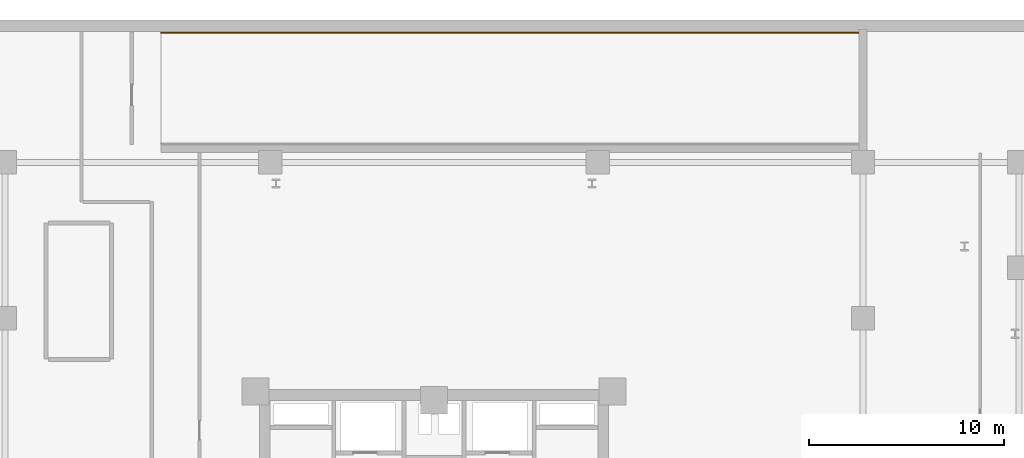
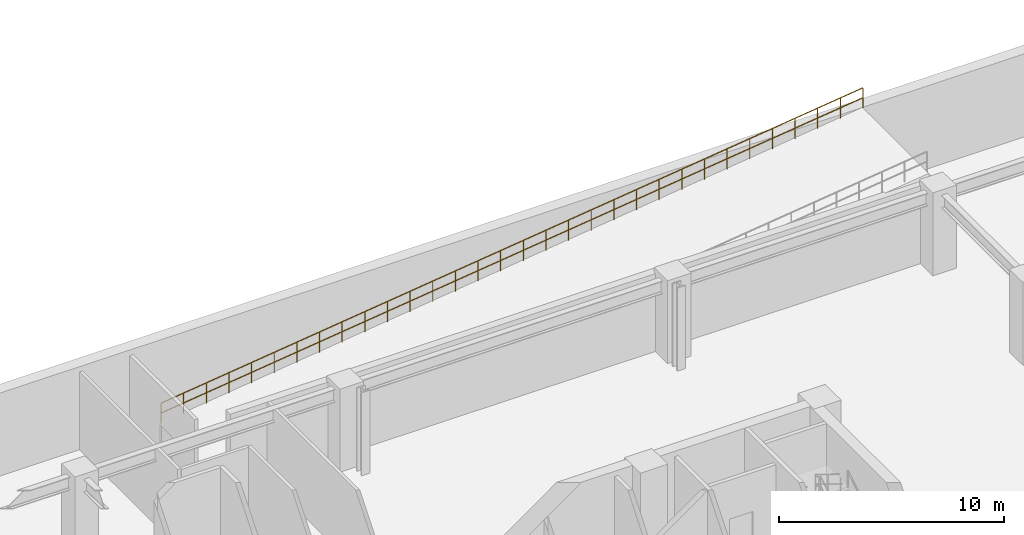
# One storey, part 15 of 15: 1 railing.
"""IFC4 building model written with IfcOpenShell, lengths in metres."""

import ifcopenshell
import ifcopenshell.guid

model = None  # the IFC model being written
_history = None  # IfcOwnerHistory: only IFC2X3 demands one
_inside = {}  # id of a spatial element -> (the spatial element, [elements in it])
_under = {}  # id of a project, library or spatial element -> (it, [spatial elements below it])
_declared = {}  # id of a project -> (the project, [libraries it declares])
_typed = {}  # id of a type object -> (the type object, [elements of that type])
_made_of = {}  # id of a material, layer set ... -> (it, [elements and type objects made of it])


def new_model(schema):
    """Start an empty IFC model of exactly this schema.

    Asked for "IFC4X3", IfcOpenShell would pick the latest addendum, in which some entities
    have other attributes; the version numbers below select the first issue.
    IFC2X3 requires an IfcOwnerHistory on every rooted entity: one is made here for all.
    """
    global model, _history
    if schema == "IFC4X3":
        model = ifcopenshell.file(schema_version=(4, 3, 0, 0))
    else:
        model = ifcopenshell.file(schema=schema)
    _inside.clear()
    _under.clear()
    _declared.clear()
    _typed.clear()
    _made_of.clear()
    _history = None
    if model.schema == "IFC2X3":
        org = make("IfcOrganization", Name="unknown")
        user = make(
            "IfcPersonAndOrganization",
            ThePerson=make("IfcPerson", FamilyName="unknown"),
            TheOrganization=org,
        )
        app = make(
            "IfcApplication",
            ApplicationDeveloper=org,
            Version="unknown",
            ApplicationFullName="unknown",
            ApplicationIdentifier="unknown",
        )
        _history = make(
            "IfcOwnerHistory",
            OwningUser=user,
            OwningApplication=app,
            ChangeAction="ADDED",
            CreationDate=0,
        )
    return model


def make(cls, **values):
    """One entity of the class cls with the attributes given. An attribute that is None is left unset."""
    return model.create_entity(
        cls, **{name: value for name, value in values.items() if value is not None}
    )


def rooted(cls, **values):
    """An entity with a GlobalId (a new one), such as an element, a storey or a relation."""
    return make(cls, GlobalId=ifcopenshell.guid.new(), OwnerHistory=_history, **values)


def si_unit(unit_type, name, prefix=None):
    """IfcSIUnit, for example si_unit("LENGTHUNIT", "METRE", prefix="MILLI")."""
    return make("IfcSIUnit", UnitType=unit_type, Prefix=prefix, Name=name)


def derived_unit(unit_type, elements):
    """IfcDerivedUnit: a product of units, each with its exponent."""
    return make(
        "IfcDerivedUnit",
        Elements=[
            make("IfcDerivedUnitElement", Unit=unit, Exponent=power)
            for unit, power in elements
        ],
        UnitType=unit_type,
    )


def assignment(units):
    """IfcUnitAssignment: the units of a project."""
    return None if units is None else make("IfcUnitAssignment", Units=units)


def point(xyz):
    """IfcCartesianPoint."""
    return None if xyz is None else make("IfcCartesianPoint", Coordinates=xyz)


def direction(xyz):
    """IfcDirection."""
    return None if xyz is None else make("IfcDirection", DirectionRatios=xyz)


def frame(location, z_axis=None, x_axis=None):
    """IfcAxis2Placement3D, a coordinate frame: its origin and axes. An axis left out is left unset."""
    return make(
        "IfcAxis2Placement3D",
        Location=point(location),
        Axis=direction(z_axis),
        RefDirection=direction(x_axis),
    )


def frame_2d(location, x_axis=None):
    """IfcAxis2Placement2D, a coordinate frame in the plane: its origin and x axis."""
    return make(
        "IfcAxis2Placement2D", Location=point(location), RefDirection=direction(x_axis)
    )


def origin():
    """The frame at (0, 0, 0) with its axes left unset."""
    return frame((0.0, 0.0, 0.0))


def origin_2d():
    """The frame at (0, 0) in the plane with its x axis left unset."""
    return frame_2d((0.0, 0.0))


def place(relative_to, where):
    """IfcLocalPlacement: puts the frame where relative to a parent placement (None: the world)."""
    return make(
        "IfcLocalPlacement", PlacementRelTo=relative_to, RelativePlacement=where
    )


def context(
    kind, dimensions, precision=None, world=None, true_north=None, identifier=None
):
    """IfcGeometricRepresentationContext, for example the 3D "Model" context."""
    return make(
        "IfcGeometricRepresentationContext",
        ContextIdentifier=identifier,
        ContextType=kind,
        CoordinateSpaceDimension=dimensions,
        Precision=precision,
        WorldCoordinateSystem=world,
        TrueNorth=true_north,
    )


def subcontext(parent, identifier, kind, view, scale=None):
    """IfcGeometricRepresentationSubContext, for example "Body" below "Model"."""
    return make(
        "IfcGeometricRepresentationSubContext",
        ContextIdentifier=identifier,
        ContextType=kind,
        ParentContext=parent,
        TargetScale=scale,
        TargetView=view,
    )


def project(units=None, contexts=None):
    """IfcProject with its units and contexts."""
    return rooted(
        "IfcProject",
        Name="project",
        RepresentationContexts=contexts,
        UnitsInContext=assignment(units),
    )


def spatial(cls, under=None, at=None, **own):
    """A site, building, storey or space (cls), placed at a placement, below another one or the project."""
    s = rooted(cls, ObjectPlacement=at, **own)
    if under is not None:
        _under.setdefault(under.id(), (under, []))[1].append(s)
    return s


def profile(cls, at=None, kind="AREA", **sizes):
    """A parametric profile (cls). Its sizes go by their IFC names, for example OverallWidth=200.0."""
    return make(cls, ProfileType=kind, Position=at, **sizes)


def circle(**sizes):
    """IfcCircleProfileDef."""
    return profile("IfcCircleProfileDef", **sizes)


def extrude(swept, where, along, depth):
    """IfcExtrudedAreaSolid: the profile swept, set in the frame where, extruded along a direction by depth."""
    return make(
        "IfcExtrudedAreaSolid",
        SweptArea=swept,
        Position=where,
        ExtrudedDirection=direction(along),
        Depth=depth,
    )


def shape(context_of_items, identifier, shape_type, items):
    """IfcShapeRepresentation: the items that make up one representation, for example the "Body"."""
    return make(
        "IfcShapeRepresentation",
        ContextOfItems=context_of_items,
        RepresentationIdentifier=identifier,
        RepresentationType=shape_type,
        Items=items,
    )


def material(Name=None, Category=None):
    """IfcMaterial."""
    return make("IfcMaterial", Name=Name, Category=Category)


def made_of(thing, what):
    """Note that an element or type object is made of a material, layer set ...; save() writes the relation."""
    if what is not None:
        _made_of.setdefault(what.id(), (what, []))[1].append(thing)
    return thing


def type_object(cls, material=None, **own):
    """A type object (cls), such as IfcWallType, which elements share."""
    return made_of(rooted(cls, **own), material)


def element(
    cls,
    number,
    at=None,
    inside=None,
    cuts=None,
    type_object=None,
    material=None,
    context=None,
    identifier="Body",
    shape_type=None,
    held_by="IfcProductDefinitionShape",
    body=None,
    shapes=None,
    **own,
):
    """One element of the class cls, such as IfcWall. Its Tag is "e" and its number.

    at: its placement. inside: the storey or other place that contains it. cuts: it is an
    opening in that element (IfcRelVoidsElement). A single representation is given by context,
    identifier, shape_type and body (its items); several are given by shapes. held_by: the class
    of the entity that holds the representations. save() writes the other relations.
    """
    e = rooted(cls, Tag="e%d" % number, ObjectPlacement=at, **own)
    if body is not None:
        shapes = [shape(context, identifier, shape_type, body)]
    if shapes is not None:
        e.Representation = make(held_by, Representations=shapes)
    if inside is not None:
        _inside.setdefault(inside.id(), (inside, []))[1].append(e)
    if cuts is not None:
        rooted(
            "IfcRelVoidsElement", RelatingBuildingElement=cuts, RelatedOpeningElement=e
        )
    if type_object is not None:
        _typed.setdefault(type_object.id(), (type_object, []))[1].append(e)
    return made_of(e, material)


def aggregate(whole, parts):
    """IfcRelAggregates: a whole, such as a stair, and the parts it consists of."""
    return rooted("IfcRelAggregates", RelatingObject=whole, RelatedObjects=parts)


def save(model, path):
    """Write the relations noted so far, then the file.

    IfcRelAggregates (storeys below a building ...), IfcRelContainedInSpatialStructure (elements
    in a storey), IfcRelDefinesByType, IfcRelAssociatesMaterial and IfcRelDeclares: one each for
    every whole, place, type object, material and project.
    """
    for whole, parts in _under.values():
        aggregate(whole, parts)
    for where, things in _inside.values():
        rooted(
            "IfcRelContainedInSpatialStructure",
            RelatedElements=things,
            RelatingStructure=where,
        )
    for kind, things in _typed.values():
        rooted("IfcRelDefinesByType", RelatedObjects=things, RelatingType=kind)
    for what, things in _made_of.values():
        rooted("IfcRelAssociatesMaterial", RelatedObjects=things, RelatingMaterial=what)
    for by, libraries in _declared.values():
        rooted("IfcRelDeclares", RelatingContext=by, RelatedDefinitions=libraries)
    model.write(path)


model = new_model("IFC4")

# Units and contexts
model_context = context("Model", 3, precision=1e-05, world=origin(), true_north=direction((0.0, 1.0)))
body_context = subcontext(model_context, "Body", "Model", "MODEL_VIEW")
ifc_project = project(units=[si_unit("LENGTHUNIT", "METRE"), si_unit("AREAUNIT", "SQUARE_METRE"), si_unit("VOLUMEUNIT", "CUBIC_METRE"), si_unit("PLANEANGLEUNIT", "RADIAN"), si_unit("MASSUNIT", "GRAM", prefix="KILO"), derived_unit("THERMALTRANSMITTANCEUNIT", [(si_unit("POWERUNIT", "WATT"), 1), (si_unit("LENGTHUNIT", "METRE"), -2), (si_unit("THERMODYNAMICTEMPERATUREUNIT", "KELVIN"), -1)])], contexts=[model_context])

# Site, building, storey
site_placement = place(None, origin())
site = spatial("IfcSite", under=ifc_project, at=site_placement, CompositionType="ELEMENT")
building_placement = place(site_placement, origin())
building = spatial("IfcBuilding", under=site, at=building_placement, Name="Korsvarv Bourse and Concert Hall", CompositionType="ELEMENT")
storey_placement = place(building_placement, frame((0.0, 0.0, -4.5)))
storey = spatial("IfcBuildingStorey", under=building, at=storey_placement, Name="B01", CompositionType="ELEMENT", Elevation=-4.5)

# Railing
ifc_material = material(Name="Painted Steel S355 stair well guardrail", Category="steel")
railing_type = type_object("IfcRailingType", Name="RL-ST-GRD", PredefinedType="GUARDRAIL", material=ifc_material)
railing_placement = place(storey_placement, frame((22.0, 65.64990234375, 0.0)))
element("IfcRailing", 1, at=railing_placement, inside=storey, type_object=railing_type, Name="B01 vehicle ramp side guardrail N", PredefinedType="GUARDRAIL", context=body_context, shape_type="SweptSolid", body=[
    extrude(circle(Radius=0.02392578125, at=origin_2d()), frame((0.0, 0.0, 1.09619140625), z_axis=(0.992277876714, 0.0, 0.124034734589), x_axis=(0.0, 1.0, 0.0)), (0.0, 0.0, 1.0), 36.2802734375),
    extrude(circle(Radius=0.02392578125, at=origin_2d()), frame((0.0, 0.0, 0.56005859375), z_axis=(0.992277876714, 0.0, 0.124034734589), x_axis=(0.0, 1.0, 0.0)), (0.0, 0.0, 1.0), 36.2802734375),
    extrude(circle(Radius=0.02099609375, at=origin_2d()), origin(), (0.0, 0.0, 1.0), 1.072021484375),
    extrude(circle(Radius=0.02099609375, at=origin_2d()), frame((1.161376953125, 0.0, 0.145263671875)), (0.0, 0.0, 1.0), 1.072021484375),
    extrude(circle(Radius=0.02099609375, at=origin_2d()), frame((2.322509765625, 0.0, 0.290283203125)), (0.0, 0.0, 1.0), 1.072021484375),
    extrude(circle(Radius=0.02099609375, at=origin_2d()), frame((3.48388671875, 0.0, 0.435546875)), (0.0, 0.0, 1.0), 1.072021484375),
    extrude(circle(Radius=0.02099609375, at=origin_2d()), frame((4.645263671875, 0.0, 0.58056640625)), (0.0, 0.0, 1.0), 1.072021484375),
    extrude(circle(Radius=0.02099609375, at=origin_2d()), frame((5.806396484375, 0.0, 0.725830078125)), (0.0, 0.0, 1.0), 1.072021484375),
    extrude(circle(Radius=0.02099609375, at=origin_2d()), frame((6.9677734375, 0.0, 0.870849609375)), (0.0, 0.0, 1.0), 1.072021484375),
    extrude(circle(Radius=0.02099609375, at=origin_2d()), frame((8.129150390625, 0.0, 1.01611328125)), (0.0, 0.0, 1.0), 1.072021484375),
    extrude(circle(Radius=0.02099609375, at=origin_2d()), frame((9.290283203125, 0.0, 1.161376953125)), (0.0, 0.0, 1.0), 1.072021484375),
    extrude(circle(Radius=0.02099609375, at=origin_2d()), frame((10.45166015625, 0.0, 1.306396484375)), (0.0, 0.0, 1.0), 1.072021484375),
    extrude(circle(Radius=0.02099609375, at=origin_2d()), frame((11.61279296875, 0.0, 1.45166015625)), (0.0, 0.0, 1.0), 1.072021484375),
    extrude(circle(Radius=0.02099609375, at=origin_2d()), frame((12.774169921875, 0.0, 1.5966796875)), (0.0, 0.0, 1.0), 1.072021484375),
    extrude(circle(Radius=0.02099609375, at=origin_2d()), frame((13.935546875, 0.0, 1.741943359375)), (0.0, 0.0, 1.0), 1.072021484375),
    extrude(circle(Radius=0.02099609375, at=origin_2d()), frame((15.0966796875, 0.0, 1.88720703125)), (0.0, 0.0, 1.0), 1.072021484375),
    extrude(circle(Radius=0.02099609375, at=origin_2d()), frame((16.258056640625, 0.0, 2.0322265625)), (0.0, 0.0, 1.0), 1.072021484375),
    extrude(circle(Radius=0.02099609375, at=origin_2d()), frame((17.41943359375, 0.0, 2.177490234375)), (0.0, 0.0, 1.0), 1.072021484375),
    extrude(circle(Radius=0.02099609375, at=origin_2d()), frame((18.58056640625, 0.0, 2.322509765625)), (0.0, 0.0, 1.0), 1.072021484375),
    extrude(circle(Radius=0.02099609375, at=origin_2d()), frame((19.741943359375, 0.0, 2.4677734375)), (0.0, 0.0, 1.0), 1.072021484375),
    extrude(circle(Radius=0.02099609375, at=origin_2d()), frame((20.9033203125, 0.0, 2.61279296875)), (0.0, 0.0, 1.0), 1.072021484375),
    extrude(circle(Radius=0.02099609375, at=origin_2d()), frame((22.064453125, 0.0, 2.758056640625)), (0.0, 0.0, 1.0), 1.072021484375),
    extrude(circle(Radius=0.02099609375, at=origin_2d()), frame((23.225830078125, 0.0, 2.9033203125)), (0.0, 0.0, 1.0), 1.072021484375),
    extrude(circle(Radius=0.02099609375, at=origin_2d()), frame((24.38720703125, 0.0, 3.04833984375)), (0.0, 0.0, 1.0), 1.072021484375),
    extrude(circle(Radius=0.02099609375, at=origin_2d()), frame((25.54833984375, 0.0, 3.193603515625)), (0.0, 0.0, 1.0), 1.072021484375),
    extrude(circle(Radius=0.02099609375, at=origin_2d()), frame((26.709716796875, 0.0, 3.338623046875)), (0.0, 0.0, 1.0), 1.072021484375),
    extrude(circle(Radius=0.02099609375, at=origin_2d()), frame((27.870849609375, 0.0, 3.48388671875)), (0.0, 0.0, 1.0), 1.072021484375),
    extrude(circle(Radius=0.02099609375, at=origin_2d()), frame((29.0322265625, 0.0, 3.629150390625)), (0.0, 0.0, 1.0), 1.072021484375),
    extrude(circle(Radius=0.02099609375, at=origin_2d()), frame((30.193603515625, 0.0, 3.774169921875)), (0.0, 0.0, 1.0), 1.072021484375),
    extrude(circle(Radius=0.02099609375, at=origin_2d()), frame((31.354736328125, 0.0, 3.91943359375)), (0.0, 0.0, 1.0), 1.072021484375),
    extrude(circle(Radius=0.02099609375, at=origin_2d()), frame((32.51611328125, 0.0, 4.064453125)), (0.0, 0.0, 1.0), 1.072021484375),
    extrude(circle(Radius=0.02099609375, at=origin_2d()), frame((33.677490234375, 0.0, 4.209716796875)), (0.0, 0.0, 1.0), 1.072021484375),
    extrude(circle(Radius=0.02099609375, at=origin_2d()), frame((34.838623046875, 0.0, 4.354736328125)), (0.0, 0.0, 1.0), 1.072021484375),
    extrude(circle(Radius=0.02099609375, at=origin_2d()), frame((36.0, 0.0, 4.5)), (0.0, 0.0, 1.0), 1.072021484375),
])

save(model, "model.ifc")
